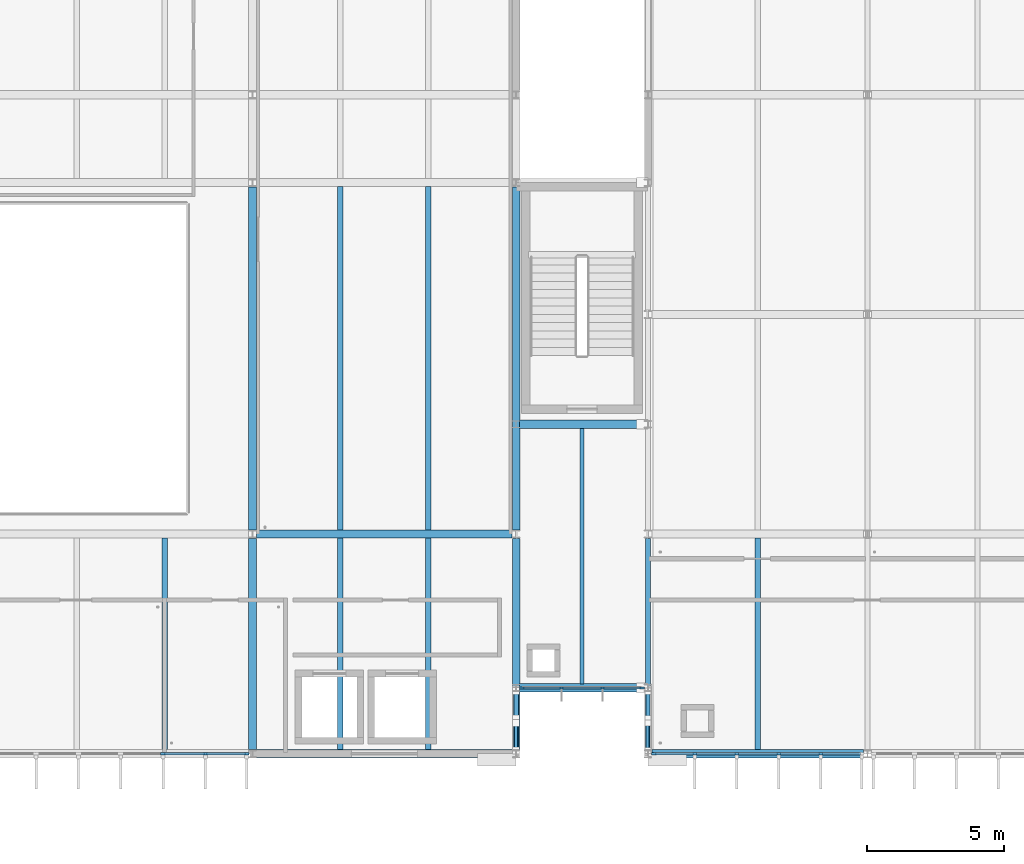
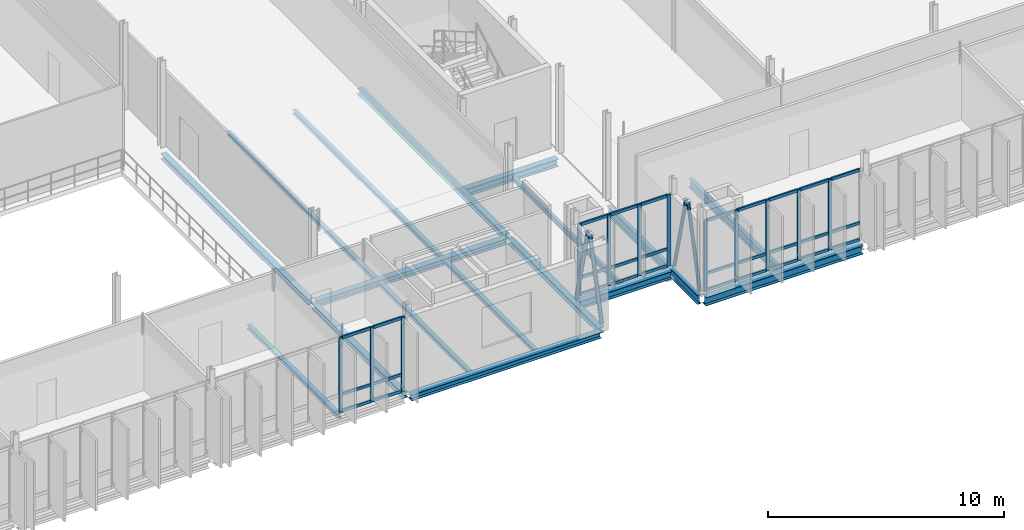
# One storey, part 27 of 93: 46 members, 17 beams, 3 elements without a shape of their own.
"""IFC4 building model written with IfcOpenShell, lengths in metres."""

from ifc_helpers import new_model, si_unit, direction, frame, origin, origin_2d, place, context, subcontext, project, spatial, rectangle, hollow_circle, i_section, extrude, material, material_profile, profile_set, type_object, element, aggregate, save


model = new_model("IFC4")

# Units and contexts
model_context = context("Model", 3, precision=1e-05, world=origin(), true_north=direction((0.0, 1.0)))
body_context = subcontext(model_context, "Body", "Model", "MODEL_VIEW")
ifc_project = project(units=[si_unit("LENGTHUNIT", "METRE"), si_unit("AREAUNIT", "SQUARE_METRE"), si_unit("VOLUMEUNIT", "CUBIC_METRE"), si_unit("PLANEANGLEUNIT", "RADIAN"), si_unit("MASSUNIT", "GRAM", prefix="KILO")], contexts=[model_context])

# Site, building, storey
site_placement = place(None, origin())
site = spatial("IfcSite", under=ifc_project, at=site_placement, CompositionType="ELEMENT")
building_placement = place(site_placement, origin())
building = spatial("IfcBuilding", under=site, at=building_placement, Name="Dunescarp Central Library", CompositionType="ELEMENT")
storey_placement = place(building_placement, frame((0.0, 0.0, 14.10009765625)))
storey = spatial("IfcBuildingStorey", under=building, at=storey_placement, Name="L03", CompositionType="ELEMENT", Elevation=14.10009765625)

# Curtain wall, members
ifc_material_1 = material(Name="Marine-grade anodised aluminium 6063-T6", Category="aluminium")
curtain_wall_type_1 = type_object("IfcCurtainWallType", Name="ARC-CW-STICK", PredefinedType="NOTDEFINED", material=ifc_material_1)
curtain_wall_1_placement = place(storey_placement, origin())
curtain_wall_1 = element("IfcCurtainWall", 1, at=curtain_wall_1_placement, inside=storey, type_object=curtain_wall_type_1, Name="L03 curtain wall CW-V2-063", PredefinedType="NOTDEFINED")
ifc_material_profile_1 = material_profile(ifc_material_1, rectangle(XDim=0.080078125, YDim=0.179931640625, at=origin_2d()), Name="AL 80x180")
ifc_profile_set_1 = profile_set([ifc_material_profile_1], Name="Marine-grade anodised aluminium 6063-T6")
member_type_1 = type_object("IfcMemberType", Name="ARC-CWM-180", PredefinedType="MULLION", material=ifc_profile_set_1)
member_1_placement = place(storey_placement, frame((66.985107421875, 4.800048828125, 0.0), z_axis=(0.0, 0.0, 1.0), x_axis=(0.0, -1.0, 0.0)))
member_1 = element("IfcMember", 2, at=member_1_placement, type_object=member_type_1, Name="CW-V2-063 mullion 1", PredefinedType="MULLION", context=body_context, shape_type="SweptSolid", body=[
    extrude(rectangle(XDim=0.080078125, YDim=0.179931640625, at=origin_2d()), origin(), (0.0, 0.0, 1.0), 3.86181640625),
])
member_2_placement = place(storey_placement, frame((65.4833984375, 4.800048828125, 0.0), z_axis=(0.0, 0.0, 1.0), x_axis=(0.0, -1.0, 0.0)))
member_2 = element("IfcMember", 3, at=member_2_placement, type_object=member_type_1, Name="CW-V2-063 mullion 2", PredefinedType="MULLION", context=body_context, shape_type="SweptSolid", body=[
    extrude(rectangle(XDim=0.080078125, YDim=0.179931640625, at=origin_2d()), origin(), (0.0, 0.0, 1.0), 3.86181640625),
])
member_3_placement = place(storey_placement, frame((63.941650390625, 4.800048828125, 0.0), z_axis=(0.0, 0.0, 1.0), x_axis=(0.0, -1.0, 0.0)))
member_3 = element("IfcMember", 4, at=member_3_placement, type_object=member_type_1, Name="CW-V2-063 mullion 3", PredefinedType="MULLION", context=body_context, shape_type="SweptSolid", body=[
    extrude(rectangle(XDim=0.080078125, YDim=0.179931640625, at=origin_2d()), origin(), (0.0, 0.0, 1.0), 3.86181640625),
])

curtain_wall_2_placement = place(storey_placement, origin())
curtain_wall_2 = element("IfcCurtainWall", 5, at=curtain_wall_2_placement, inside=storey, type_object=curtain_wall_type_1, Name="L03 curtain wall CW-V3-098", PredefinedType="NOTDEFINED")
member_4_placement = place(storey_placement, frame((87.89501953125, 4.800048828125, 0.0), z_axis=(0.0, 0.0, 1.0), x_axis=(0.0, -1.0, 0.0)))
member_4 = element("IfcMember", 6, at=member_4_placement, type_object=member_type_1, Name="CW-V3-098 mullion 2", PredefinedType="MULLION", context=body_context, shape_type="SweptSolid", body=[
    extrude(rectangle(XDim=0.080078125, YDim=0.179931640625, at=origin_2d()), origin(), (0.0, 0.0, 1.0), 3.6748046875),
])
member_5_placement = place(storey_placement, frame((86.364990234375, 4.800048828125, 0.0), z_axis=(0.0, 0.0, 1.0), x_axis=(0.0, -1.0, 0.0)))
member_5 = element("IfcMember", 7, at=member_5_placement, type_object=member_type_1, Name="CW-V3-098 mullion 3", PredefinedType="MULLION", context=body_context, shape_type="SweptSolid", body=[
    extrude(rectangle(XDim=0.080078125, YDim=0.179931640625, at=origin_2d()), origin(), (0.0, 0.0, 1.0), 3.6748046875),
])
member_6_placement = place(storey_placement, frame((84.8349609375, 4.800048828125, 0.0), z_axis=(0.0, 0.0, 1.0), x_axis=(0.0, -1.0, 0.0)))
member_6 = element("IfcMember", 8, at=member_6_placement, type_object=member_type_1, Name="CW-V3-098 mullion 4", PredefinedType="MULLION", context=body_context, shape_type="SweptSolid", body=[
    extrude(rectangle(XDim=0.080078125, YDim=0.179931640625, at=origin_2d()), origin(), (0.0, 0.0, 1.0), 3.6748046875),
])
member_7_placement = place(storey_placement, frame((83.304931640625, 4.800048828125, 0.0), z_axis=(0.0, 0.0, 1.0), x_axis=(0.0, -1.0, 0.0)))
member_7 = element("IfcMember", 9, at=member_7_placement, type_object=member_type_1, Name="CW-V3-098 mullion 5", PredefinedType="MULLION", context=body_context, shape_type="SweptSolid", body=[
    extrude(rectangle(XDim=0.080078125, YDim=0.179931640625, at=origin_2d()), origin(), (0.0, 0.0, 1.0), 3.6748046875),
])
member_8_placement = place(storey_placement, frame((81.81494140625, 4.800048828125, 0.0), z_axis=(0.0, 0.0, 1.0), x_axis=(0.0, -1.0, 0.0)))
member_8 = element("IfcMember", 10, at=member_8_placement, type_object=member_type_1, Name="CW-V3-098 mullion 6", PredefinedType="MULLION", context=body_context, shape_type="SweptSolid", body=[
    extrude(rectangle(XDim=0.080078125, YDim=0.179931640625, at=origin_2d()), origin(), (0.0, 0.0, 1.0), 3.6748046875),
])

curtain_wall_type_2 = type_object("IfcCurtainWallType", Name="ARC-CW-LINK", PredefinedType="USERDEFINED", material=ifc_material_1)
curtain_wall_3_placement = place(storey_placement, origin())
curtain_wall_3 = element("IfcCurtainWall", 11, at=curtain_wall_3_placement, inside=storey, type_object=curtain_wall_type_2, Name="L03 curtain wall CW-GL2-S-L03", ObjectType="GLAZED_LINK_WALL", PredefinedType="USERDEFINED")
member_9_placement = place(storey_placement, frame((81.385009765625, 7.199951171875, 0.0), z_axis=(0.0, 0.0, 1.0), x_axis=(0.0, -1.0, 0.0)))
member_9 = element("IfcMember", 12, at=member_9_placement, type_object=member_type_1, Name="CW-GL2-S-L03 mullion 1", PredefinedType="MULLION", context=body_context, shape_type="SweptSolid", body=[
    extrude(rectangle(XDim=0.080078125, YDim=0.179931640625, at=origin_2d()), origin(), (0.0, 0.0, 1.0), 3.685791015625),
])
member_10_placement = place(storey_placement, frame((79.941650390625, 7.199951171875, 0.0), z_axis=(0.0, 0.0, 1.0), x_axis=(0.0, -1.0, 0.0)))
member_10 = element("IfcMember", 13, at=member_10_placement, type_object=member_type_1, Name="CW-GL2-S-L03 mullion 2", PredefinedType="MULLION", context=body_context, shape_type="SweptSolid", body=[
    extrude(rectangle(XDim=0.080078125, YDim=0.179931640625, at=origin_2d()), origin(), (0.0, 0.0, 1.0), 3.685791015625),
])
member_11_placement = place(storey_placement, frame((78.458251953125, 7.199951171875, 0.0), z_axis=(0.0, 0.0, 1.0), x_axis=(0.0, -1.0, 0.0)))
member_11 = element("IfcMember", 14, at=member_11_placement, type_object=member_type_1, Name="CW-GL2-S-L03 mullion 3", PredefinedType="MULLION", context=body_context, shape_type="SweptSolid", body=[
    extrude(rectangle(XDim=0.080078125, YDim=0.179931640625, at=origin_2d()), origin(), (0.0, 0.0, 1.0), 3.685791015625),
])
member_12_placement = place(storey_placement, frame((77.014892578125, 7.199951171875, 0.0), z_axis=(0.0, 0.0, 1.0), x_axis=(0.0, -1.0, 0.0)))
member_12 = element("IfcMember", 15, at=member_12_placement, type_object=member_type_1, Name="CW-GL2-S-L03 mullion 4", PredefinedType="MULLION", context=body_context, shape_type="SweptSolid", body=[
    extrude(rectangle(XDim=0.080078125, YDim=0.179931640625, at=origin_2d()), origin(), (0.0, 0.0, 1.0), 3.685791015625),
])

# Member
ifc_material_profile_2 = material_profile(ifc_material_1, rectangle(XDim=0.080078125, YDim=0.14990234375, at=origin_2d()), Name="AL 80x150")
ifc_profile_set_2 = profile_set([ifc_material_profile_2], Name="Marine-grade anodised aluminium 6063-T6")
member_type_2 = type_object("IfcMemberType", Name="ARC-CWT-150", PredefinedType="USERDEFINED", material=ifc_profile_set_2)
member_13_placement = place(storey_placement, frame((66.945068359375, 4.800048828125, 0.039794921875), z_axis=(-1.0, 0.0, 0.0), x_axis=(0.0, -1.0, 0.0)))
member_13 = element("IfcMember", 16, at=member_13_placement, type_object=member_type_2, Name="CW-V2-063 transom 1.1", ObjectType="TRANSOM", PredefinedType="USERDEFINED", context=body_context, shape_type="SweptSolid", body=[
    extrude(rectangle(XDim=0.080078125, YDim=0.14990234375, at=origin_2d()), origin(), (0.0, 0.0, 1.0), 1.421630859375),
])

member_14_placement = place(storey_placement, frame((66.945068359375, 4.800048828125, 0.89990234375), z_axis=(-1.0, 0.0, 0.0), x_axis=(0.0, -1.0, 0.0)))
member_14 = element("IfcMember", 17, at=member_14_placement, type_object=member_type_2, Name="CW-V2-063 transom 1.2", ObjectType="TRANSOM", PredefinedType="USERDEFINED", context=body_context, shape_type="SweptSolid", body=[
    extrude(rectangle(XDim=0.080078125, YDim=0.14990234375, at=origin_2d()), origin(), (0.0, 0.0, 1.0), 1.421630859375),
])

member_15_placement = place(storey_placement, frame((66.945068359375, 4.800048828125, 3.822021484375), z_axis=(-1.0, 0.0, 0.0), x_axis=(0.0, -1.0, 0.0)))
member_15 = element("IfcMember", 18, at=member_15_placement, type_object=member_type_2, Name="CW-V2-063 transom 1.3", ObjectType="TRANSOM", PredefinedType="USERDEFINED", context=body_context, shape_type="SweptSolid", body=[
    extrude(rectangle(XDim=0.080078125, YDim=0.14990234375, at=origin_2d()), origin(), (0.0, 0.0, 1.0), 1.421630859375),
])

member_16_placement = place(storey_placement, frame((65.443359375, 4.800048828125, 0.039794921875), z_axis=(-1.0, 0.0, 0.0), x_axis=(0.0, -1.0, 0.0)))
member_16 = element("IfcMember", 19, at=member_16_placement, type_object=member_type_2, Name="CW-V2-063 transom 2.1", ObjectType="TRANSOM", PredefinedType="USERDEFINED", context=body_context, shape_type="SweptSolid", body=[
    extrude(rectangle(XDim=0.080078125, YDim=0.14990234375, at=origin_2d()), origin(), (0.0, 0.0, 1.0), 1.461669921875),
])

member_17_placement = place(storey_placement, frame((65.443359375, 4.800048828125, 0.89990234375), z_axis=(-1.0, 0.0, 0.0), x_axis=(0.0, -1.0, 0.0)))
member_17 = element("IfcMember", 20, at=member_17_placement, type_object=member_type_2, Name="CW-V2-063 transom 2.2", ObjectType="TRANSOM", PredefinedType="USERDEFINED", context=body_context, shape_type="SweptSolid", body=[
    extrude(rectangle(XDim=0.080078125, YDim=0.14990234375, at=origin_2d()), origin(), (0.0, 0.0, 1.0), 1.461669921875),
])

member_18_placement = place(storey_placement, frame((65.443359375, 4.800048828125, 3.822021484375), z_axis=(-1.0, 0.0, 0.0), x_axis=(0.0, -1.0, 0.0)))
member_18 = element("IfcMember", 21, at=member_18_placement, type_object=member_type_2, Name="CW-V2-063 transom 2.3", ObjectType="TRANSOM", PredefinedType="USERDEFINED", context=body_context, shape_type="SweptSolid", body=[
    extrude(rectangle(XDim=0.080078125, YDim=0.14990234375, at=origin_2d()), origin(), (0.0, 0.0, 1.0), 1.461669921875),
])

aggregate(curtain_wall_1, [member_1, member_2, member_3, member_13, member_14, member_15, member_16, member_17, member_18])

member_19_placement = place(storey_placement, frame((89.344970703125, 4.800048828125, 0.039794921875), z_axis=(-1.0, 0.0, 0.0), x_axis=(0.0, -1.0, 0.0)))
member_19 = element("IfcMember", 22, at=member_19_placement, type_object=member_type_2, Name="CW-V3-098 transom 1.1", ObjectType="TRANSOM", PredefinedType="USERDEFINED", context=body_context, shape_type="SweptSolid", body=[
    extrude(rectangle(XDim=0.080078125, YDim=0.14990234375, at=origin_2d()), origin(), (0.0, 0.0, 1.0), 1.409912109375),
])

member_20_placement = place(storey_placement, frame((89.344970703125, 4.800048828125, 0.89990234375), z_axis=(-1.0, 0.0, 0.0), x_axis=(0.0, -1.0, 0.0)))
member_20 = element("IfcMember", 23, at=member_20_placement, type_object=member_type_2, Name="CW-V3-098 transom 1.2", ObjectType="TRANSOM", PredefinedType="USERDEFINED", context=body_context, shape_type="SweptSolid", body=[
    extrude(rectangle(XDim=0.080078125, YDim=0.14990234375, at=origin_2d()), origin(), (0.0, 0.0, 1.0), 1.409912109375),
])

member_21_placement = place(storey_placement, frame((89.344970703125, 4.800048828125, 3.635009765625), z_axis=(-1.0, 0.0, 0.0), x_axis=(0.0, -1.0, 0.0)))
member_21 = element("IfcMember", 24, at=member_21_placement, type_object=member_type_2, Name="CW-V3-098 transom 1.3", ObjectType="TRANSOM", PredefinedType="USERDEFINED", context=body_context, shape_type="SweptSolid", body=[
    extrude(rectangle(XDim=0.080078125, YDim=0.14990234375, at=origin_2d()), origin(), (0.0, 0.0, 1.0), 1.409912109375),
])

member_22_placement = place(storey_placement, frame((87.85498046875, 4.800048828125, 0.039794921875), z_axis=(-1.0, 0.0, 0.0), x_axis=(0.0, -1.0, 0.0)))
member_22 = element("IfcMember", 25, at=member_22_placement, type_object=member_type_2, Name="CW-V3-098 transom 2.1", ObjectType="TRANSOM", PredefinedType="USERDEFINED", context=body_context, shape_type="SweptSolid", body=[
    extrude(rectangle(XDim=0.080078125, YDim=0.14990234375, at=origin_2d()), origin(), (0.0, 0.0, 1.0), 1.449951171875),
])

member_23_placement = place(storey_placement, frame((87.85498046875, 4.800048828125, 0.89990234375), z_axis=(-1.0, 0.0, 0.0), x_axis=(0.0, -1.0, 0.0)))
member_23 = element("IfcMember", 26, at=member_23_placement, type_object=member_type_2, Name="CW-V3-098 transom 2.2", ObjectType="TRANSOM", PredefinedType="USERDEFINED", context=body_context, shape_type="SweptSolid", body=[
    extrude(rectangle(XDim=0.080078125, YDim=0.14990234375, at=origin_2d()), origin(), (0.0, 0.0, 1.0), 1.449951171875),
])

member_24_placement = place(storey_placement, frame((87.85498046875, 4.800048828125, 3.635009765625), z_axis=(-1.0, 0.0, 0.0), x_axis=(0.0, -1.0, 0.0)))
member_24 = element("IfcMember", 27, at=member_24_placement, type_object=member_type_2, Name="CW-V3-098 transom 2.3", ObjectType="TRANSOM", PredefinedType="USERDEFINED", context=body_context, shape_type="SweptSolid", body=[
    extrude(rectangle(XDim=0.080078125, YDim=0.14990234375, at=origin_2d()), origin(), (0.0, 0.0, 1.0), 1.449951171875),
])

member_25_placement = place(storey_placement, frame((86.324951171875, 4.800048828125, 0.039794921875), z_axis=(-1.0, 0.0, 0.0), x_axis=(0.0, -1.0, 0.0)))
member_25 = element("IfcMember", 28, at=member_25_placement, type_object=member_type_2, Name="CW-V3-098 transom 3.1", ObjectType="TRANSOM", PredefinedType="USERDEFINED", context=body_context, shape_type="SweptSolid", body=[
    extrude(rectangle(XDim=0.080078125, YDim=0.14990234375, at=origin_2d()), origin(), (0.0, 0.0, 1.0), 1.449951171875),
])

member_26_placement = place(storey_placement, frame((86.324951171875, 4.800048828125, 0.89990234375), z_axis=(-1.0, 0.0, 0.0), x_axis=(0.0, -1.0, 0.0)))
member_26 = element("IfcMember", 29, at=member_26_placement, type_object=member_type_2, Name="CW-V3-098 transom 3.2", ObjectType="TRANSOM", PredefinedType="USERDEFINED", context=body_context, shape_type="SweptSolid", body=[
    extrude(rectangle(XDim=0.080078125, YDim=0.14990234375, at=origin_2d()), origin(), (0.0, 0.0, 1.0), 1.449951171875),
])

member_27_placement = place(storey_placement, frame((86.324951171875, 4.800048828125, 3.635009765625), z_axis=(-1.0, 0.0, 0.0), x_axis=(0.0, -1.0, 0.0)))
member_27 = element("IfcMember", 30, at=member_27_placement, type_object=member_type_2, Name="CW-V3-098 transom 3.3", ObjectType="TRANSOM", PredefinedType="USERDEFINED", context=body_context, shape_type="SweptSolid", body=[
    extrude(rectangle(XDim=0.080078125, YDim=0.14990234375, at=origin_2d()), origin(), (0.0, 0.0, 1.0), 1.449951171875),
])

member_28_placement = place(storey_placement, frame((84.794921875, 4.800048828125, 0.039794921875), z_axis=(-1.0, 0.0, 0.0), x_axis=(0.0, -1.0, 0.0)))
member_28 = element("IfcMember", 31, at=member_28_placement, type_object=member_type_2, Name="CW-V3-098 transom 4.1", ObjectType="TRANSOM", PredefinedType="USERDEFINED", context=body_context, shape_type="SweptSolid", body=[
    extrude(rectangle(XDim=0.080078125, YDim=0.14990234375, at=origin_2d()), origin(), (0.0, 0.0, 1.0), 1.449951171875),
])

member_29_placement = place(storey_placement, frame((84.794921875, 4.800048828125, 0.89990234375), z_axis=(-1.0, 0.0, 0.0), x_axis=(0.0, -1.0, 0.0)))
member_29 = element("IfcMember", 32, at=member_29_placement, type_object=member_type_2, Name="CW-V3-098 transom 4.2", ObjectType="TRANSOM", PredefinedType="USERDEFINED", context=body_context, shape_type="SweptSolid", body=[
    extrude(rectangle(XDim=0.080078125, YDim=0.14990234375, at=origin_2d()), origin(), (0.0, 0.0, 1.0), 1.449951171875),
])

member_30_placement = place(storey_placement, frame((84.794921875, 4.800048828125, 3.635009765625), z_axis=(-1.0, 0.0, 0.0), x_axis=(0.0, -1.0, 0.0)))
member_30 = element("IfcMember", 33, at=member_30_placement, type_object=member_type_2, Name="CW-V3-098 transom 4.3", ObjectType="TRANSOM", PredefinedType="USERDEFINED", context=body_context, shape_type="SweptSolid", body=[
    extrude(rectangle(XDim=0.080078125, YDim=0.14990234375, at=origin_2d()), origin(), (0.0, 0.0, 1.0), 1.449951171875),
])

member_31_placement = place(storey_placement, frame((83.264892578125, 4.800048828125, 0.039794921875), z_axis=(-1.0, 0.0, 0.0), x_axis=(0.0, -1.0, 0.0)))
member_31 = element("IfcMember", 34, at=member_31_placement, type_object=member_type_2, Name="CW-V3-098 transom 5.1", ObjectType="TRANSOM", PredefinedType="USERDEFINED", context=body_context, shape_type="SweptSolid", body=[
    extrude(rectangle(XDim=0.080078125, YDim=0.14990234375, at=origin_2d()), origin(), (0.0, 0.0, 1.0), 1.409912109375),
])

member_32_placement = place(storey_placement, frame((83.264892578125, 4.800048828125, 0.89990234375), z_axis=(-1.0, 0.0, 0.0), x_axis=(0.0, -1.0, 0.0)))
member_32 = element("IfcMember", 35, at=member_32_placement, type_object=member_type_2, Name="CW-V3-098 transom 5.2", ObjectType="TRANSOM", PredefinedType="USERDEFINED", context=body_context, shape_type="SweptSolid", body=[
    extrude(rectangle(XDim=0.080078125, YDim=0.14990234375, at=origin_2d()), origin(), (0.0, 0.0, 1.0), 1.409912109375),
])

member_33_placement = place(storey_placement, frame((83.264892578125, 4.800048828125, 3.635009765625), z_axis=(-1.0, 0.0, 0.0), x_axis=(0.0, -1.0, 0.0)))
member_33 = element("IfcMember", 36, at=member_33_placement, type_object=member_type_2, Name="CW-V3-098 transom 5.3", ObjectType="TRANSOM", PredefinedType="USERDEFINED", context=body_context, shape_type="SweptSolid", body=[
    extrude(rectangle(XDim=0.080078125, YDim=0.14990234375, at=origin_2d()), origin(), (0.0, 0.0, 1.0), 1.409912109375),
])

aggregate(curtain_wall_2, [member_4, member_5, member_6, member_7, member_8, member_19, member_20, member_21, member_22, member_23, member_24, member_25, member_26, member_27, member_28, member_29, member_30, member_31, member_32, member_33])

member_34_placement = place(storey_placement, frame((81.344970703125, 7.199951171875, 0.039794921875), z_axis=(-1.0, 0.0, 0.0), x_axis=(0.0, -1.0, 0.0)))
member_34 = element("IfcMember", 37, at=member_34_placement, type_object=member_type_2, Name="CW-GL2-S-L03 transom 1.1", ObjectType="TRANSOM", PredefinedType="USERDEFINED", context=body_context, shape_type="SweptSolid", body=[
    extrude(rectangle(XDim=0.080078125, YDim=0.14990234375, at=origin_2d()), origin(), (0.0, 0.0, 1.0), 1.36328125),
])

member_35_placement = place(storey_placement, frame((81.344970703125, 7.199951171875, 0.89990234375), z_axis=(-1.0, 0.0, 0.0), x_axis=(0.0, -1.0, 0.0)))
member_35 = element("IfcMember", 38, at=member_35_placement, type_object=member_type_2, Name="CW-GL2-S-L03 transom 1.2", ObjectType="TRANSOM", PredefinedType="USERDEFINED", context=body_context, shape_type="SweptSolid", body=[
    extrude(rectangle(XDim=0.080078125, YDim=0.14990234375, at=origin_2d()), origin(), (0.0, 0.0, 1.0), 1.36328125),
])

member_36_placement = place(storey_placement, frame((81.344970703125, 7.199951171875, 3.64599609375), z_axis=(-1.0, 0.0, 0.0), x_axis=(0.0, -1.0, 0.0)))
member_36 = element("IfcMember", 39, at=member_36_placement, type_object=member_type_2, Name="CW-GL2-S-L03 transom 1.3", ObjectType="TRANSOM", PredefinedType="USERDEFINED", context=body_context, shape_type="SweptSolid", body=[
    extrude(rectangle(XDim=0.080078125, YDim=0.14990234375, at=origin_2d()), origin(), (0.0, 0.0, 1.0), 1.36328125),
])

member_37_placement = place(storey_placement, frame((79.901611328125, 7.199951171875, 0.039794921875), z_axis=(-1.0, 0.0, 0.0), x_axis=(0.0, -1.0, 0.0)))
member_37 = element("IfcMember", 40, at=member_37_placement, type_object=member_type_2, Name="CW-GL2-S-L03 transom 2.1", ObjectType="TRANSOM", PredefinedType="USERDEFINED", context=body_context, shape_type="SweptSolid", body=[
    extrude(rectangle(XDim=0.080078125, YDim=0.14990234375, at=origin_2d()), origin(), (0.0, 0.0, 1.0), 1.4033203125),
])

member_38_placement = place(storey_placement, frame((79.901611328125, 7.199951171875, 0.89990234375), z_axis=(-1.0, 0.0, 0.0), x_axis=(0.0, -1.0, 0.0)))
member_38 = element("IfcMember", 41, at=member_38_placement, type_object=member_type_2, Name="CW-GL2-S-L03 transom 2.2", ObjectType="TRANSOM", PredefinedType="USERDEFINED", context=body_context, shape_type="SweptSolid", body=[
    extrude(rectangle(XDim=0.080078125, YDim=0.14990234375, at=origin_2d()), origin(), (0.0, 0.0, 1.0), 1.4033203125),
])

member_39_placement = place(storey_placement, frame((79.901611328125, 7.199951171875, 3.64599609375), z_axis=(-1.0, 0.0, 0.0), x_axis=(0.0, -1.0, 0.0)))
member_39 = element("IfcMember", 42, at=member_39_placement, type_object=member_type_2, Name="CW-GL2-S-L03 transom 2.3", ObjectType="TRANSOM", PredefinedType="USERDEFINED", context=body_context, shape_type="SweptSolid", body=[
    extrude(rectangle(XDim=0.080078125, YDim=0.14990234375, at=origin_2d()), origin(), (0.0, 0.0, 1.0), 1.4033203125),
])

member_40_placement = place(storey_placement, frame((78.418212890625, 7.199951171875, 0.039794921875), z_axis=(-1.0, 0.0, 0.0), x_axis=(0.0, -1.0, 0.0)))
member_40 = element("IfcMember", 43, at=member_40_placement, type_object=member_type_2, Name="CW-GL2-S-L03 transom 3.1", ObjectType="TRANSOM", PredefinedType="USERDEFINED", context=body_context, shape_type="SweptSolid", body=[
    extrude(rectangle(XDim=0.080078125, YDim=0.14990234375, at=origin_2d()), origin(), (0.0, 0.0, 1.0), 1.36328125),
])

member_41_placement = place(storey_placement, frame((78.418212890625, 7.199951171875, 0.89990234375), z_axis=(-1.0, 0.0, 0.0), x_axis=(0.0, -1.0, 0.0)))
member_41 = element("IfcMember", 44, at=member_41_placement, type_object=member_type_2, Name="CW-GL2-S-L03 transom 3.2", ObjectType="TRANSOM", PredefinedType="USERDEFINED", context=body_context, shape_type="SweptSolid", body=[
    extrude(rectangle(XDim=0.080078125, YDim=0.14990234375, at=origin_2d()), origin(), (0.0, 0.0, 1.0), 1.36328125),
])

member_42_placement = place(storey_placement, frame((78.418212890625, 7.199951171875, 3.64599609375), z_axis=(-1.0, 0.0, 0.0), x_axis=(0.0, -1.0, 0.0)))
member_42 = element("IfcMember", 45, at=member_42_placement, type_object=member_type_2, Name="CW-GL2-S-L03 transom 3.3", ObjectType="TRANSOM", PredefinedType="USERDEFINED", context=body_context, shape_type="SweptSolid", body=[
    extrude(rectangle(XDim=0.080078125, YDim=0.14990234375, at=origin_2d()), origin(), (0.0, 0.0, 1.0), 1.36328125),
])

aggregate(curtain_wall_3, [member_9, member_10, member_11, member_12, member_34, member_35, member_36, member_37, member_38, member_39, member_40, member_41, member_42])

# Beams
ifc_material_2 = material(Name="Steel S355JR", Category="steel")
ifc_material_profile_3 = material_profile(ifc_material_2, i_section(OverallWidth=0.300048828125, OverallDepth=0.31005859375, WebThickness=0.009033203125, FlangeThickness=0.015380859375, at=origin_2d()), Name="HEA 320")
ifc_profile_set_3 = profile_set([ifc_material_profile_3], Name="Steel S355JR")
beam_type_1 = type_object("IfcBeamType", Name="STR-BM-HEA320", PredefinedType="BEAM", material=ifc_profile_set_3)
for number, where, z_axis, x_axis, name in (
    (46, (67.35107421875, 4.800048828125, -0.39501953125), (1.0, 0.0, 0.0), (0.0, 1.0, 0.0), "L03 girder BM-L03-0521"),
    (47, (67.35107421875, 12.800048828125, -0.39501953125), (1.0, 0.0, 0.0), (0.0, 1.0, 0.0), "L03 girder BM-L03-0522"),
):
    element("IfcBeam", number, at=place(storey_placement, frame(where, z_axis=z_axis, x_axis=x_axis)), inside=storey, type_object=beam_type_1, Name=name, PredefinedType="BEAM", context=body_context, shape_type="SweptSolid", body=[
        extrude(i_section(OverallWidth=0.300048828125, OverallDepth=0.31005859375, WebThickness=0.009033203125, FlangeThickness=0.015380859375, at=origin_2d()), origin(), (0.0, 0.0, 1.0), 9.2978515625),
    ])
ifc_material_profile_4 = material_profile(ifc_material_2, i_section(OverallWidth=0.300048828125, OverallDepth=0.389892578125, WebThickness=0.010986328125, FlangeThickness=0.01904296875, at=origin_2d()), Name="HEA 400")
ifc_profile_set_4 = profile_set([ifc_material_profile_4], Name="Steel S355JR")
beam_type_2 = type_object("IfcBeamType", Name="STR-BM-HEA400", PredefinedType="BEAM", material=ifc_profile_set_4)
for number, where, z_axis, x_axis, name in (
    (48, (76.927978515625, 7.199951171875, -0.43505859375), (1.0, 0.0, 0.0), (0.0, 1.0, 0.0), "L03 girder BM-L03-1249"),
    (49, (76.927978515625, 16.800048828125, -0.43505859375), (1.0, 0.0, 0.0), (0.0, 1.0, 0.0), "L03 girder BM-L03-1250"),
):
    element("IfcBeam", number, at=place(storey_placement, frame(where, z_axis=z_axis, x_axis=x_axis)), inside=storey, type_object=beam_type_2, Name=name, PredefinedType="BEAM", context=body_context, shape_type="SweptSolid", body=[
        extrude(i_section(OverallWidth=0.300048828125, OverallDepth=0.389892578125, WebThickness=0.010986328125, FlangeThickness=0.01904296875, at=origin_2d()), origin(), (0.0, 0.0, 1.0), 4.5439453125),
    ])
ifc_material_profile_5 = material_profile(ifc_material_2, i_section(OverallWidth=0.300048828125, OverallDepth=0.43994140625, WebThickness=0.011474609375, FlangeThickness=0.02099609375, at=origin_2d()), Name="HEA 450")
ifc_profile_set_5 = profile_set([ifc_material_profile_5], Name="Steel S355JR")
beam_type_3 = type_object("IfcBeamType", Name="STR-BM-HEA450", PredefinedType="BEAM", material=ifc_profile_set_5)
beam_1_placement = place(storey_placement, frame((81.7509765625, 4.800048828125, -0.460205078125), z_axis=(1.0, 0.0, 0.0), x_axis=(0.0, 1.0, 0.0)))
element("IfcBeam", 50, at=beam_1_placement, inside=storey, type_object=beam_type_3, Name="L03 girder BM-L03-0809", PredefinedType="BEAM", context=body_context, shape_type="SweptSolid", body=[
    extrude(i_section(OverallWidth=0.300048828125, OverallDepth=0.43994140625, WebThickness=0.011474609375, FlangeThickness=0.02099609375, at=origin_2d()), origin(), (0.0, 0.0, 1.0), 7.697998046875),
])
ifc_material_profile_6 = material_profile(ifc_material_2, i_section(OverallWidth=0.280029296875, OverallDepth=0.280029296875, WebThickness=0.010498046875, FlangeThickness=0.01806640625, at=origin_2d()), Name="HEB 280")
ifc_profile_set_6 = profile_set([ifc_material_profile_6], Name="Steel S355JR")
beam_type_4 = type_object("IfcBeamType", Name="STR-BM-HEB280", PredefinedType="BEAM", material=ifc_profile_set_6)
beam_2_placement = place(storey_placement, frame((67.199951171875, 4.9541015625, -0.380126953125), z_axis=(0.0, 1.0, 0.0), x_axis=(-1.0, 0.0, 0.0)))
element("IfcBeam", 51, at=beam_2_placement, inside=storey, type_object=beam_type_4, Name="L03 girder BM-L03-0508", PredefinedType="BEAM", context=body_context, shape_type="SweptSolid", body=[
    extrude(i_section(OverallWidth=0.280029296875, OverallDepth=0.280029296875, WebThickness=0.010498046875, FlangeThickness=0.01806640625, at=origin_2d()), origin(), (0.0, 0.0, 1.0), 7.69189453125),
])
beam_3_placement = place(storey_placement, frame((67.199951171875, 12.9541015625, -0.380126953125), z_axis=(0.0, 1.0, 0.0), x_axis=(-1.0, 0.0, 0.0)))
element("IfcBeam", 52, at=beam_3_placement, inside=storey, type_object=beam_type_4, Name="L03 girder BM-L03-0512", PredefinedType="BEAM", context=body_context, shape_type="SweptSolid", body=[
    extrude(i_section(OverallWidth=0.280029296875, OverallDepth=0.280029296875, WebThickness=0.010498046875, FlangeThickness=0.01806640625, at=origin_2d()), origin(), (0.0, 0.0, 1.0), 12.491943359375),
])
beam_4_placement = place(storey_placement, frame((76.800048828125, 4.9541015625, -0.380126953125), z_axis=(0.0, 1.0, 0.0), x_axis=(-1.0, 0.0, 0.0)))
element("IfcBeam", 53, at=beam_4_placement, inside=storey, type_object=beam_type_4, Name="L03 girder BM-L03-0523", PredefinedType="BEAM", context=body_context, shape_type="SweptSolid", body=[
    extrude(i_section(OverallWidth=0.280029296875, OverallDepth=0.280029296875, WebThickness=0.010498046875, FlangeThickness=0.01806640625, at=origin_2d()), origin(), (0.0, 0.0, 1.0), 7.69189453125),
])
beam_5_placement = place(storey_placement, frame((76.800048828125, 12.9541015625, -0.380126953125), z_axis=(0.0, 1.0, 0.0), x_axis=(-1.0, 0.0, 0.0)))
element("IfcBeam", 54, at=beam_5_placement, inside=storey, type_object=beam_type_4, Name="L03 girder BM-L03-0527", PredefinedType="BEAM", context=body_context, shape_type="SweptSolid", body=[
    extrude(i_section(OverallWidth=0.280029296875, OverallDepth=0.280029296875, WebThickness=0.010498046875, FlangeThickness=0.01806640625, at=origin_2d()), origin(), (0.0, 0.0, 1.0), 12.491943359375),
])
ifc_material_profile_7 = material_profile(ifc_material_2, i_section(OverallWidth=0.19140625, OverallDepth=0.4599609375, WebThickness=0.010009765625, FlangeThickness=0.01611328125, at=origin_2d()), Name="UB 457x191x82")
ifc_profile_set_7 = profile_set([ifc_material_profile_7], Name="Steel S355JR")
beam_type_5 = type_object("IfcBeamType", Name="STR-BM-UB457X82", PredefinedType="BEAM", material=ifc_profile_set_7)
beam_6_placement = place(storey_placement, frame((81.60009765625, 4.9541015625, -0.47021484375), z_axis=(0.0, 1.0, 0.0), x_axis=(-1.0, 0.0, 0.0)))
element("IfcBeam", 55, at=beam_6_placement, inside=storey, type_object=beam_type_5, Name="L03 girder BM-L03-0811", PredefinedType="BEAM", context=body_context, shape_type="SweptSolid", body=[
    extrude(i_section(OverallWidth=0.19140625, OverallDepth=0.4599609375, WebThickness=0.010009765625, FlangeThickness=0.01611328125, at=origin_2d()), origin(), (0.0, 0.0, 1.0), 7.69189453125),
])

# Members
ifc_material_3 = material(Name="Steel S355J0", Category="steel")
ifc_material_profile_8 = material_profile(ifc_material_3, hollow_circle(Radius=0.084228515625, WallThickness=0.008056640625, at=origin_2d()), Name="CHS 168.3x8")
ifc_profile_set_8 = profile_set([ifc_material_profile_8], Name="Steel S355J0")
member_type_3 = type_object("IfcMemberType", Name="STR-BR-168", PredefinedType="BRACE", material=ifc_profile_set_8)
for number, where, z_axis, x_axis, name in (
    (56, (81.60009765625, 4.919921875, 0.0), (0.0, 0.241965696153, 0.970284804521), (-1.0, 0.0, 0.0), "L03 concentric brace BR-L03-039"),
    (57, (81.60009765625, 7.080078125, 0.0), (0.0, -0.241965696153, 0.970284804521), (1.0, 0.0, 0.0), "L03 concentric brace BR-L03-040"),
):
    element("IfcMember", number, at=place(storey_placement, frame(where, z_axis=z_axis, x_axis=x_axis)), inside=storey, type_object=member_type_3, Name=name, PredefinedType="BRACE", context=body_context, shape_type="SweptSolid", body=[
        extrude(hollow_circle(Radius=0.084228515625, WallThickness=0.008056640625, at=origin_2d()), origin(), (0.0, 0.0, 1.0), 4.1328125),
    ])
ifc_material_profile_9 = material_profile(ifc_material_3, hollow_circle(Radius=0.096923828125, WallThickness=0.010009765625, at=origin_2d()), Name="CHS 193.7x10")
ifc_profile_set_9 = profile_set([ifc_material_profile_9], Name="Steel S355J0")
member_type_4 = type_object("IfcMemberType", Name="STR-BR-193", PredefinedType="BRACE", material=ifc_profile_set_9)
for number, where, z_axis, x_axis, name in (
    (58, (76.800048828125, 4.919921875, 0.0), (0.0, 0.241965696153, 0.970284804521), (-1.0, 0.0, 0.0), "L03 concentric brace BR-L03-029"),
    (59, (76.800048828125, 7.080078125, 0.0), (0.0, -0.241965696153, 0.970284804521), (1.0, 0.0, 0.0), "L03 concentric brace BR-L03-030"),
):
    element("IfcMember", number, at=place(storey_placement, frame(where, z_axis=z_axis, x_axis=x_axis)), inside=storey, type_object=member_type_4, Name=name, PredefinedType="BRACE", context=body_context, shape_type="SweptSolid", body=[
        extrude(hollow_circle(Radius=0.096923828125, WallThickness=0.010009765625, at=origin_2d()), origin(), (0.0, 0.0, 1.0), 4.1328125),
    ])

# Beams
ifc_material_profile_10 = material_profile(ifc_material_2, i_section(OverallWidth=0.199951171875, OverallDepth=0.199951171875, WebThickness=0.009033203125, FlangeThickness=0.014892578125, at=origin_2d()), Name="HEB 200")
ifc_profile_set_10 = profile_set([ifc_material_profile_10], Name="Steel S355JR")
beam_type_6 = type_object("IfcBeamType", Name="STR-JS-HEB200", PredefinedType="JOIST", material=ifc_profile_set_10)
for number, where, z_axis, x_axis, name in (
    (60, (64.0, 4.947998046875, -0.340087890625), (0.0, 1.0, 0.0), (-1.0, 0.0, 0.0), "L03 joist JS-L03-0510"),
    (61, (70.39990234375, 4.947998046875, -0.340087890625), (0.0, 1.0, 0.0), (-1.0, 0.0, 0.0), "L03 joist JS-L03-0524"),
    (62, (73.60009765625, 4.947998046875, -0.340087890625), (0.0, 1.0, 0.0), (-1.0, 0.0, 0.0), "L03 joist JS-L03-0525"),
):
    element("IfcBeam", number, at=place(storey_placement, frame(where, z_axis=z_axis, x_axis=x_axis)), inside=storey, type_object=beam_type_6, Name=name, PredefinedType="JOIST", context=body_context, shape_type="SweptSolid", body=[
        extrude(i_section(OverallWidth=0.199951171875, OverallDepth=0.199951171875, WebThickness=0.009033203125, FlangeThickness=0.014892578125, at=origin_2d()), origin(), (0.0, 0.0, 1.0), 7.7041015625),
    ])
for number, where, z_axis, x_axis, name in (
    (63, (70.39990234375, 12.947998046875, -0.340087890625), (0.0, 1.0, 0.0), (-1.0, 0.0, 0.0), "L03 joist JS-L03-0528"),
    (64, (73.60009765625, 12.947998046875, -0.340087890625), (0.0, 1.0, 0.0), (-1.0, 0.0, 0.0), "L03 joist JS-L03-0529"),
):
    element("IfcBeam", number, at=place(storey_placement, frame(where, z_axis=z_axis, x_axis=x_axis)), inside=storey, type_object=beam_type_6, Name=name, PredefinedType="JOIST", context=body_context, shape_type="SweptSolid", body=[
        extrude(i_section(OverallWidth=0.199951171875, OverallDepth=0.199951171875, WebThickness=0.009033203125, FlangeThickness=0.014892578125, at=origin_2d()), origin(), (0.0, 0.0, 1.0), 12.50390625),
    ])
ifc_material_profile_11 = material_profile(ifc_material_2, i_section(OverallWidth=0.135009765625, OverallDepth=0.27001953125, WebThickness=0.006591796875, FlangeThickness=0.01025390625, at=origin_2d()), Name="IPE 270")
ifc_profile_set_11 = profile_set([ifc_material_profile_11], Name="Steel S355JR")
beam_type_7 = type_object("IfcBeamType", Name="STR-JS-IPE270", PredefinedType="JOIST", material=ifc_profile_set_11)
beam_7_placement = place(storey_placement, frame((79.199951171875, 7.347900390625, -0.375), z_axis=(0.0, 1.0, 0.0), x_axis=(-1.0, 0.0, 0.0)))
element("IfcBeam", 65, at=beam_7_placement, inside=storey, type_object=beam_type_7, Name="L03 joist JS-L03-1251", PredefinedType="JOIST", context=body_context, shape_type="SweptSolid", body=[
    extrude(i_section(OverallWidth=0.135009765625, OverallDepth=0.27001953125, WebThickness=0.006591796875, FlangeThickness=0.01025390625, at=origin_2d()), origin(), (0.0, 0.0, 1.0), 9.30419921875),
])
ifc_material_profile_12 = material_profile(ifc_material_2, i_section(OverallWidth=0.18994140625, OverallDepth=0.449951171875, WebThickness=0.009521484375, FlangeThickness=0.0146484375, at=origin_2d()), Name="IPE 450")
ifc_profile_set_12 = profile_set([ifc_material_profile_12], Name="Steel S355JR")
beam_type_8 = type_object("IfcBeamType", Name="STR-JS-IPE450", PredefinedType="JOIST", material=ifc_profile_set_12)
beam_8_placement = place(storey_placement, frame((85.60009765625, 4.947998046875, -0.465087890625), z_axis=(0.0, 1.0, 0.0), x_axis=(-1.0, 0.0, 0.0)))
element("IfcBeam", 66, at=beam_8_placement, inside=storey, type_object=beam_type_8, Name="L03 joist JS-L03-0813", PredefinedType="JOIST", context=body_context, shape_type="SweptSolid", body=[
    extrude(i_section(OverallWidth=0.18994140625, OverallDepth=0.449951171875, WebThickness=0.009521484375, FlangeThickness=0.0146484375, at=origin_2d()), origin(), (0.0, 0.0, 1.0), 7.7041015625),
])

save(model, "model.ifc")
